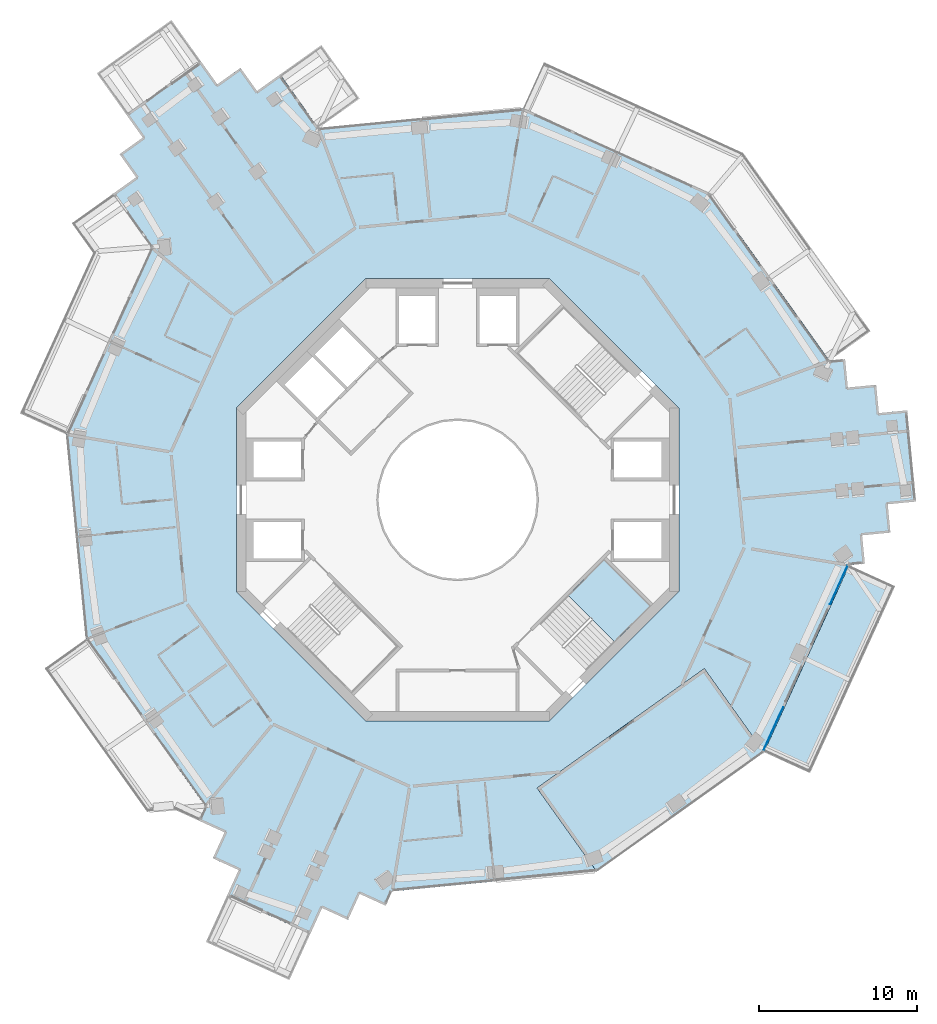
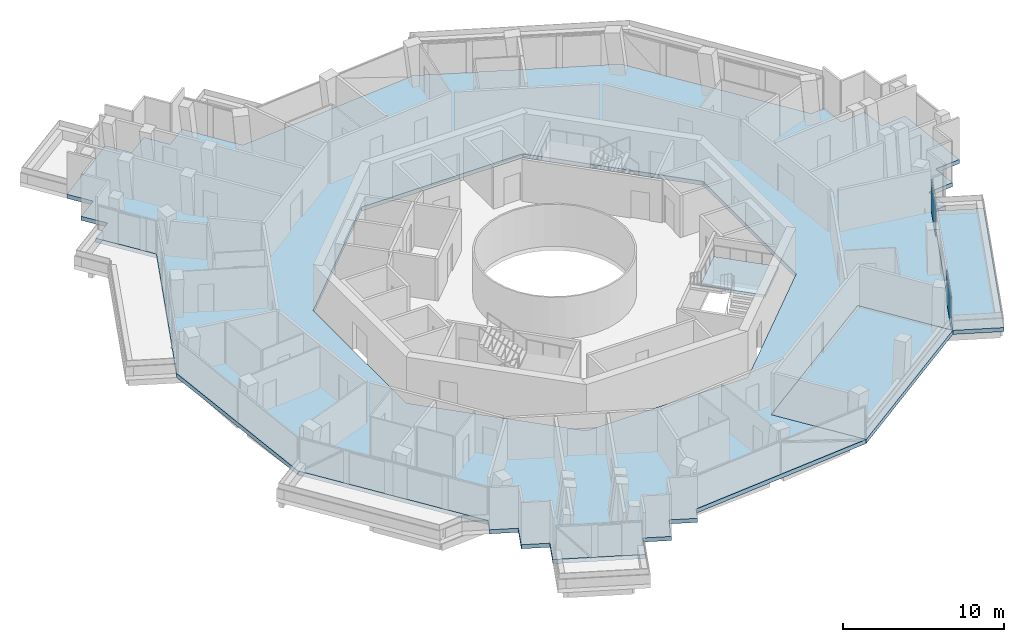
# One storey, part 11 of 22: 4 slabs, 2 plates, 2 elements without a shape of their own.
"""IFC4 building model written with IfcOpenShell, lengths in metres."""

from ifc_helpers import new_model, si_unit, direction, frame, origin, origin_2d, place, context, subcontext, project, spatial, polyline, rectangle, outline, extrude, material, layer, layer_set, type_object, element, aggregate, save


model = new_model("IFC4")

# Units and contexts
model_context = context("Model", 3, precision=1e-05, world=origin(), true_north=direction((0.0, 1.0)))
body_context = subcontext(model_context, "Body", "Model", "MODEL_VIEW")
ifc_project = project(units=[si_unit("LENGTHUNIT", "METRE"), si_unit("AREAUNIT", "SQUARE_METRE"), si_unit("VOLUMEUNIT", "CUBIC_METRE"), si_unit("PLANEANGLEUNIT", "RADIAN"), si_unit("MASSUNIT", "GRAM", prefix="KILO")], contexts=[model_context])

# Site, building, storey
site_placement = place(None, origin())
site = spatial("IfcSite", under=ifc_project, at=site_placement, CompositionType="ELEMENT")
building_placement = place(site_placement, origin())
building = spatial("IfcBuilding", under=site, at=building_placement, Name="Verdalira Terraces Hotel", CompositionType="ELEMENT")
storey_placement = place(building_placement, frame((0.0, 0.0, 180.0)))
storey = spatial("IfcBuildingStorey", under=building, at=storey_placement, Name="L43", CompositionType="ELEMENT", Elevation=180.0)

# Slab
ifc_material_1 = material(Name="Precast concrete C40/50", Category="concrete")
ifc_layer_1 = layer(ifc_material_1, 0.31005859375)
ifc_layer_set_1 = layer_set([ifc_layer_1], Name="Balcony deck 310")
slab_type_1 = type_object("IfcSlabType", Name="Balcony deck 310", PredefinedType="FLOOR", material=ifc_layer_set_1)
slab_1_placement = place(storey_placement, frame((0.0, 0.0, -0.310059)))
element("IfcSlab", 1, at=slab_1_placement, inside=storey, type_object=slab_type_1, Name="Balcony deck", PredefinedType="FLOOR", context=body_context, shape_type="SweptSolid", body=[
    extrude(outline(polyline([(27.68335, -5.462402), (24.770996, -4.136475), (19.384277, -15.967773), (22.296631, -17.293701), (27.68335, -5.462402)])), origin(), (0.0, 0.0, 1.0), 0.310059),
])

# Curtain wall, plates
ifc_material_2 = material(Name="Clear glass", Category="glass")
ifc_layer_2 = layer(ifc_material_2, 0.14990234375)
ifc_layer_set_2 = layer_set([ifc_layer_2], Name="CW1 curtain wall")
curtain_wall_type = type_object("IfcCurtainWallType", Name="CW1 curtain wall", PredefinedType="NOTDEFINED", material=ifc_layer_set_2)
curtain_wall_placement = place(storey_placement, origin())
curtain_wall = element("IfcCurtainWall", 2, at=curtain_wall_placement, inside=storey, type_object=curtain_wall_type, Name="CW1 curtain wall L43 edge 27", PredefinedType="NOTDEFINED")
ifc_material_3 = material(Name="Clear glass", Category="glass")
ifc_layer_3 = layer(ifc_material_3, 0.028076171875)
ifc_layer_set_3 = layer_set([ifc_layer_3], Name="CW1 glass unit 28")
plate_type = type_object("IfcPlateType", Name="CW1 glass unit 28", PredefinedType="CURTAIN_PANEL", material=ifc_layer_set_3)
plate_1_placement = place(storey_placement, frame((19.970703, -14.498779, 0.0), z_axis=(0.0, 0.0, 1.0), x_axis=(0.414375581, 0.910105971, 0.0)))
plate_1 = element("IfcPlate", 3, at=plate_1_placement, type_object=plate_type, Name="CW1 glass unit", PredefinedType="CURTAIN_PANEL", context=body_context, shape_type="SweptSolid", body=[
    extrude(rectangle(XDim=3.040039, YDim=0.028076, at=origin_2d()), origin(), (0.0, 0.0, 1.0), 2.475098),
])
plate_2_placement = place(storey_placement, frame((24.123047, -5.378906, 0.0), z_axis=(0.0, 0.0, 1.0), x_axis=(0.414375581, 0.910105971, 0.0)))
plate_2 = element("IfcPlate", 4, at=plate_2_placement, type_object=plate_type, Name="CW1 glass unit", PredefinedType="CURTAIN_PANEL", context=body_context, shape_type="SweptSolid", body=[
    extrude(rectangle(XDim=2.678711, YDim=0.028076, at=origin_2d()), origin(), (0.0, 0.0, 1.0), 2.475098),
])
aggregate(curtain_wall, [plate_1, plate_2])

# Stair, slab
ifc_material_4 = material(Name="Concrete C40", Category="concrete")
stair_type = type_object("IfcStairType", Name="Core stair 20 risers 2050 mm wide", PredefinedType="HALF_TURN_STAIR", material=ifc_material_4)
stair_placement = place(storey_placement, origin())
stair = element("IfcStair", 5, at=stair_placement, inside=storey, type_object=stair_type, Name="L43 Exit stair ST3", PredefinedType="HALF_TURN_STAIR")
ifc_material_5 = material(Name="Concrete C40", Category="concrete")
ifc_layer_4 = layer(ifc_material_5, 0.199951171875)
ifc_layer_set_4 = layer_set([ifc_layer_4], Name="Core stair landing 200 mm")
slab_type_2 = type_object("IfcSlabType", Name="Core stair landing 200 mm", PredefinedType="LANDING", material=ifc_layer_set_4)
slab_2_placement = place(storey_placement, frame((0.0, 0.0, 1.550049)))
slab_2 = element("IfcSlab", 6, at=slab_2_placement, type_object=slab_type_2, Name="ST3 landing 1", PredefinedType="LANDING", context=body_context, shape_type="SweptSolid", body=[
    extrude(outline(polyline([(9.94873, -9.001709), (12.23291, -6.717529), (9.263184, -3.747559), (6.97876, -6.031982), (9.94873, -9.001709)])), origin(), (0.0, 0.0, 1.0), 0.199951),
])
aggregate(stair, [slab_2])

# Slabs
ifc_material_6 = material(Name="Concrete C40", Category="concrete")
ifc_layer_5 = layer(ifc_material_6, 0.31005859375)
ifc_layer_set_5 = layer_set([ifc_layer_5], Name="Floor slab 310 C40")
slab_type_3 = type_object("IfcSlabType", Name="Floor slab 310 C40", PredefinedType="FLOOR", material=ifc_layer_set_5)
slab_3_placement = place(storey_placement, frame((0.0, 0.0, -0.310059)))
element("IfcSlab", 7, at=slab_3_placement, inside=storey, type_object=slab_type_3, Name="Floor slab L43", PredefinedType="FLOOR", context=body_context, shape_type="SweptSolid", body=[
    extrude(outline(polyline([(-4.550781, -25.681152), (-4.136475, -24.770996), (8.802734, -23.520508), (5.026123, -18.22998), (15.60791, -10.676514), (19.384521, -15.967285), (24.770996, -4.136475), (25.766602, -4.040283), (25.593262, -2.248535), (27.38501, -2.075439), (27.211914, -0.283691), (29.003418, -0.110596), (28.445557, 5.662598), (26.653809, 5.489502), (26.480713, 7.281006), (24.689209, 7.10791), (24.515869, 8.899414), (23.520508, 8.803223), (15.967773, 19.384277), (4.136475, 24.770996), (-8.803223, 23.520508), (-11.223633, 26.911133), (-12.688721, 25.865479), (-13.734619, 27.330566), (-15.199463, 26.284668), (-16.245361, 27.749756), (-20.966064, 24.379883), (-19.920166, 22.915039), (-21.385254, 21.869141), (-20.3396, 20.404053), (-21.804443, 19.358398), (-19.384277, 15.967773), (-24.770996, 4.136475), (-23.520508, -8.803223), (-15.967773, -19.384277), (-16.38208, -20.294189), (-14.743896, -21.040283), (-15.489746, -22.678467), (-13.851562, -23.424316), (-14.597412, -25.0625), (-9.318848, -27.46582), (-8.572998, -25.827637), (-6.934814, -26.573486), (-6.188965, -24.935303), (-4.550781, -25.681152)]), holes=[polyline([(5.799072, 14.0), (14.0, 5.799072), (14.0, -5.799072), (5.799072, -14.0), (-5.799072, -14.0), (-14.0, -5.799072), (-14.0, 5.799072), (-5.799072, 14.0), (5.799072, 14.0)])]), origin(), (0.0, 0.0, 1.0), 0.310059),
])
ifc_material_7 = material(Name="Concrete C40", Category="concrete")
ifc_layer_6 = layer(ifc_material_7, 0.31005859375)
ifc_layer_set_6 = layer_set([ifc_layer_6], Name="Loggia floor deck 310 C40")
slab_type_4 = type_object("IfcSlabType", Name="Loggia floor deck 310 C40", PredefinedType="FLOOR", material=ifc_layer_set_6)
slab_4_placement = place(storey_placement, frame((0.0, 0.0, -0.310059)))
element("IfcSlab", 8, at=slab_4_placement, inside=storey, type_object=slab_type_4, Name="Loggia deck L43", PredefinedType="FLOOR", context=body_context, shape_type="SweptSolid", body=[
    extrude(outline(polyline([(5.026855, -18.22998), (8.803223, -23.520508), (19.384277, -15.967773), (15.60791, -10.677246), (5.026855, -18.22998)])), origin(), (0.0, 0.0, 1.0), 0.310059),
])

save(model, "model.ifc")
